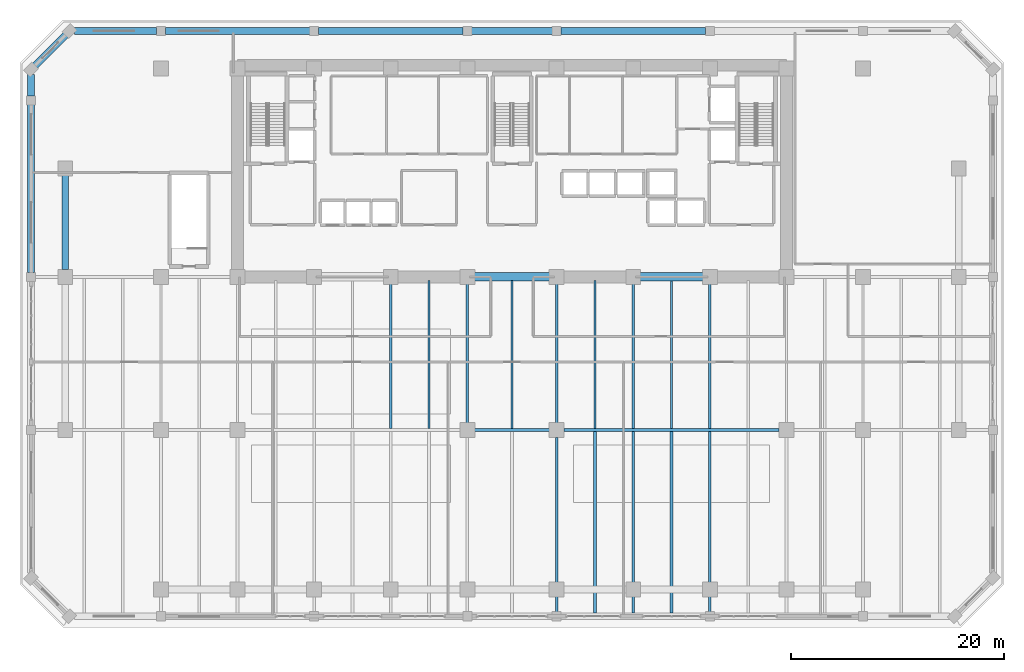
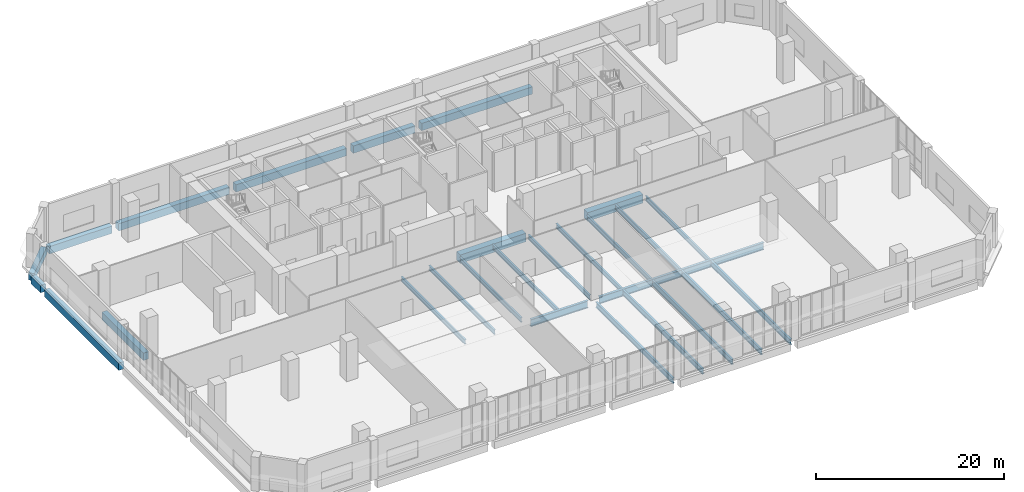
# One storey, part 12 of 25: 27 beams.
"""IFC4 building model written with IfcOpenShell, lengths in metres."""

from ifc_helpers import new_model, si_unit, direction, frame, origin, origin_2d, place, context, subcontext, project, spatial, rectangle, i_section, extrude, material, material_profile, profile_set, type_object, element, save


model = new_model("IFC4")

# Units and contexts
model_context = context("Model", 3, precision=1e-05, world=origin(), true_north=direction((0.0, 1.0)))
body_context = subcontext(model_context, "Body", "Model", "MODEL_VIEW")
ifc_project = project(units=[si_unit("LENGTHUNIT", "METRE"), si_unit("AREAUNIT", "SQUARE_METRE"), si_unit("VOLUMEUNIT", "CUBIC_METRE"), si_unit("PLANEANGLEUNIT", "RADIAN"), si_unit("MASSUNIT", "GRAM", prefix="KILO")], contexts=[model_context])

# Site, building, storey
site_placement = place(None, origin())
site = spatial("IfcSite", under=ifc_project, at=site_placement, CompositionType="ELEMENT")
building_placement = place(site_placement, origin())
building = spatial("IfcBuilding", under=site, at=building_placement, Name="Kaelvorn Grand Hotel", CompositionType="ELEMENT")
storey_placement = place(building_placement, frame((0.0, 0.0, 26.0)))
storey = spatial("IfcBuildingStorey", under=building, at=storey_placement, Name="L04", CompositionType="ELEMENT", Elevation=26.0)

# Beams
ifc_material_1 = material(Name="Steel S355", Category="steel")
ifc_material_profile_1 = material_profile(ifc_material_1, i_section(OverallWidth=0.305419921875, OverallDepth=0.91845703125, WebThickness=0.017333984375, FlangeThickness=0.02783203125, FilletRadius=0.01904296875, at=origin_2d()), Name="UB 914x305x253")
ifc_profile_set_1 = profile_set([ifc_material_profile_1], Name="Steel S355")
beam_type_1 = type_object("IfcBeamType", Name="BM-G-UB914-S355", PredefinedType="BEAM", material=ifc_profile_set_1)
beam_1_placement = place(storey_placement, frame((38.485107421875, 15.0, -0.779296875), z_axis=(1.0, 0.0, 0.0), x_axis=(0.0, 1.0, 0.0)))
element("IfcBeam", 1, at=beam_1_placement, inside=storey, type_object=beam_type_1, Name="L04 Primary Spine Steel Girder G-15 05", PredefinedType="BEAM", context=body_context, shape_type="SweptSolid", body=[
    extrude(i_section(OverallWidth=0.305419921875, OverallDepth=0.91845703125, WebThickness=0.017333984375, FlangeThickness=0.02783203125, FilletRadius=0.01904296875, at=origin_2d()), origin(), (0.0, 0.0, 1.0), 7.02978515625),
])
beam_2_placement = place(storey_placement, frame((46.885009765625, 15.0, -0.779296875), z_axis=(1.0, 0.0, 0.0), x_axis=(0.0, 1.0, 0.0)))
element("IfcBeam", 2, at=beam_2_placement, inside=storey, type_object=beam_type_1, Name="L04 Primary Spine Steel Girder G-15 06", PredefinedType="BEAM", context=body_context, shape_type="SweptSolid", body=[
    extrude(i_section(OverallWidth=0.305419921875, OverallDepth=0.91845703125, WebThickness=0.017333984375, FlangeThickness=0.02783203125, FilletRadius=0.01904296875, at=origin_2d()), origin(), (0.0, 0.0, 1.0), 20.22998046875),
])
ifc_material_profile_2 = material_profile(ifc_material_1, i_section(OverallWidth=0.219970703125, OverallDepth=0.60009765625, WebThickness=0.011962890625, FlangeThickness=0.01904296875, FilletRadius=0.02392578125, at=origin_2d()), Name="IPE 600")
ifc_profile_set_2 = profile_set([ifc_material_profile_2], Name="Steel S355")
beam_type_2 = type_object("IfcBeamType", Name="BM-J-IPE600-S355", PredefinedType="JOIST", material=ifc_profile_set_2)
beam_3_placement = place(storey_placement, frame((30.60009765625, 15.1376953125, -0.6201171875), z_axis=(0.0, 1.0, 0.0), x_axis=(-1.0, 0.0, 0.0)))
element("IfcBeam", 3, at=beam_3_placement, inside=storey, type_object=beam_type_2, Name="L04 Composite Floor Joist JM-09", PredefinedType="JOIST", context=body_context, shape_type="SweptSolid", body=[
    extrude(i_section(OverallWidth=0.219970703125, OverallDepth=0.60009765625, WebThickness=0.011962890625, FlangeThickness=0.01904296875, FilletRadius=0.02392578125, at=origin_2d()), origin(), (0.0, 0.0, 1.0), 13.577392578125),
])
beam_4_placement = place(storey_placement, frame((34.199951171875, 15.1376953125, -0.6201171875), z_axis=(0.0, 1.0, 0.0), x_axis=(-1.0, 0.0, 0.0)))
element("IfcBeam", 4, at=beam_4_placement, inside=storey, type_object=beam_type_2, Name="L04 Composite Floor Joist JM-10", PredefinedType="JOIST", context=body_context, shape_type="SweptSolid", body=[
    extrude(i_section(OverallWidth=0.219970703125, OverallDepth=0.60009765625, WebThickness=0.011962890625, FlangeThickness=0.01904296875, FilletRadius=0.02392578125, at=origin_2d()), origin(), (0.0, 0.0, 1.0), 13.92236328125),
])
beam_5_placement = place(storey_placement, frame((37.800048828125, 15.68505859375, -0.6201171875), z_axis=(0.0, 1.0, 0.0), x_axis=(-1.0, 0.0, 0.0)))
element("IfcBeam", 5, at=beam_5_placement, inside=storey, type_object=beam_type_2, Name="L04 Composite Floor Joist JM-11", PredefinedType="JOIST", context=body_context, shape_type="SweptSolid", body=[
    extrude(i_section(OverallWidth=0.219970703125, OverallDepth=0.60009765625, WebThickness=0.011962890625, FlangeThickness=0.01904296875, FilletRadius=0.02392578125, at=origin_2d()), origin(), (0.0, 0.0, 1.0), 13.030029296875),
])
beam_6_placement = place(storey_placement, frame((42.0, 15.1376953125, -0.6201171875), z_axis=(0.0, 1.0, 0.0), x_axis=(-1.0, 0.0, 0.0)))
element("IfcBeam", 6, at=beam_6_placement, inside=storey, type_object=beam_type_2, Name="L04 Composite Floor Joist JM-12", PredefinedType="JOIST", context=body_context, shape_type="SweptSolid", body=[
    extrude(i_section(OverallWidth=0.219970703125, OverallDepth=0.60009765625, WebThickness=0.011962890625, FlangeThickness=0.01904296875, FilletRadius=0.02392578125, at=origin_2d()), origin(), (0.0, 0.0, 1.0), 13.92236328125),
])
beam_7_placement = place(storey_placement, frame((46.199951171875, 15.68505859375, -0.6201171875), z_axis=(0.0, 1.0, 0.0), x_axis=(-1.0, 0.0, 0.0)))
element("IfcBeam", 7, at=beam_7_placement, inside=storey, type_object=beam_type_2, Name="L04 Composite Floor Joist JM-13", PredefinedType="JOIST", context=body_context, shape_type="SweptSolid", body=[
    extrude(i_section(OverallWidth=0.219970703125, OverallDepth=0.60009765625, WebThickness=0.011962890625, FlangeThickness=0.01904296875, FilletRadius=0.02392578125, at=origin_2d()), origin(), (0.0, 0.0, 1.0), 13.030029296875),
])
beam_8_placement = place(storey_placement, frame((49.800048828125, 15.1376953125, -0.6201171875), z_axis=(0.0, 1.0, 0.0), x_axis=(-1.0, 0.0, 0.0)))
element("IfcBeam", 8, at=beam_8_placement, inside=storey, type_object=beam_type_2, Name="L04 Composite Floor Joist JM-14", PredefinedType="JOIST", context=body_context, shape_type="SweptSolid", body=[
    extrude(i_section(OverallWidth=0.219970703125, OverallDepth=0.60009765625, WebThickness=0.011962890625, FlangeThickness=0.01904296875, FilletRadius=0.02392578125, at=origin_2d()), origin(), (0.0, 0.0, 1.0), 13.92236328125),
])
beam_9_placement = place(storey_placement, frame((53.39990234375, 15.1376953125, -0.6201171875), z_axis=(0.0, 1.0, 0.0), x_axis=(-1.0, 0.0, 0.0)))
element("IfcBeam", 9, at=beam_9_placement, inside=storey, type_object=beam_type_2, Name="L04 Composite Floor Joist JM-15", PredefinedType="JOIST", context=body_context, shape_type="SweptSolid", body=[
    extrude(i_section(OverallWidth=0.219970703125, OverallDepth=0.60009765625, WebThickness=0.011962890625, FlangeThickness=0.01904296875, FilletRadius=0.02392578125, at=origin_2d()), origin(), (0.0, 0.0, 1.0), 13.577392578125),
])
beam_10_placement = place(storey_placement, frame((57.0, 15.1376953125, -0.6201171875), z_axis=(0.0, 1.0, 0.0), x_axis=(-1.0, 0.0, 0.0)))
element("IfcBeam", 10, at=beam_10_placement, inside=storey, type_object=beam_type_2, Name="L04 Composite Floor Joist JM-16", PredefinedType="JOIST", context=body_context, shape_type="SweptSolid", body=[
    extrude(i_section(OverallWidth=0.219970703125, OverallDepth=0.60009765625, WebThickness=0.011962890625, FlangeThickness=0.01904296875, FilletRadius=0.02392578125, at=origin_2d()), origin(), (0.0, 0.0, 1.0), 13.92236328125),
])
beam_11_placement = place(storey_placement, frame((60.60009765625, 15.1376953125, -0.6201171875), z_axis=(0.0, 1.0, 0.0), x_axis=(-1.0, 0.0, 0.0)))
element("IfcBeam", 11, at=beam_11_placement, inside=storey, type_object=beam_type_2, Name="L04 Composite Floor Joist JM-17", PredefinedType="JOIST", context=body_context, shape_type="SweptSolid", body=[
    extrude(i_section(OverallWidth=0.219970703125, OverallDepth=0.60009765625, WebThickness=0.011962890625, FlangeThickness=0.01904296875, FilletRadius=0.02392578125, at=origin_2d()), origin(), (0.0, 0.0, 1.0), 13.577392578125),
])
ifc_material_profile_3 = material_profile(ifc_material_1, i_section(OverallWidth=0.25439453125, OverallDepth=0.6875, WebThickness=0.01318359375, FlangeThickness=0.02099609375, FilletRadius=0.01513671875, at=origin_2d()), Name="UB 686x254x152")
ifc_profile_set_3 = profile_set([ifc_material_profile_3], Name="Steel S355")
beam_type_3 = type_object("IfcBeamType", Name="BM-J-UB686-S355", PredefinedType="JOIST", material=ifc_profile_set_3)
beam_12_placement = place(storey_placement, frame((46.199951171875, -2.090087890625, -0.663818359375), z_axis=(0.0, 1.0, 0.0), x_axis=(-1.0, 0.0, 0.0)))
element("IfcBeam", 12, at=beam_12_placement, inside=storey, type_object=beam_type_3, Name="L04 Composite Floor Joist JS-13", PredefinedType="JOIST", context=body_context, shape_type="SweptSolid", body=[
    extrude(i_section(OverallWidth=0.25439453125, OverallDepth=0.6875, WebThickness=0.01318359375, FlangeThickness=0.02099609375, FilletRadius=0.01513671875, at=origin_2d()), origin(), (0.0, 0.0, 1.0), 16.405029296875),
])
for number, where, z_axis, x_axis, name in (
    (13, (49.800048828125, -2.18994140625, -0.663818359375), (0.0, 1.0, 0.0), (-1.0, 0.0, 0.0), "L04 Composite Floor Joist JS-14"),
    (14, (53.39990234375, -2.18994140625, -0.663818359375), (0.0, 1.0, 0.0), (-1.0, 0.0, 0.0), "L04 Composite Floor Joist JS-15"),
    (15, (57.0, -2.18994140625, -0.663818359375), (0.0, 1.0, 0.0), (-1.0, 0.0, 0.0), "L04 Composite Floor Joist JS-16"),
):
    element("IfcBeam", number, at=place(storey_placement, frame(where, z_axis=z_axis, x_axis=x_axis)), inside=storey, type_object=beam_type_3, Name=name, PredefinedType="JOIST", context=body_context, shape_type="SweptSolid", body=[
        extrude(i_section(OverallWidth=0.25439453125, OverallDepth=0.6875, WebThickness=0.01318359375, FlangeThickness=0.02099609375, FilletRadius=0.01513671875, at=origin_2d()), origin(), (0.0, 0.0, 1.0), 17.05224609375),
    ])
beam_13_placement = place(storey_placement, frame((60.60009765625, -2.090087890625, -0.663818359375), z_axis=(0.0, 1.0, 0.0), x_axis=(-1.0, 0.0, 0.0)))
element("IfcBeam", 16, at=beam_13_placement, inside=storey, type_object=beam_type_3, Name="L04 Composite Floor Joist JS-17", PredefinedType="JOIST", context=body_context, shape_type="SweptSolid", body=[
    extrude(i_section(OverallWidth=0.25439453125, OverallDepth=0.6875, WebThickness=0.01318359375, FlangeThickness=0.02099609375, FilletRadius=0.01513671875, at=origin_2d()), origin(), (0.0, 0.0, 1.0), 16.952392578125),
])
ifc_material_2 = material(Name="Concrete C60/75", Category="concrete")
ifc_material_profile_4 = material_profile(ifc_material_2, rectangle(XDim=0.800048828125, YDim=1.10009765625, at=origin_2d()), Name="RC LINTEL 800x1100")
ifc_profile_set_4 = profile_set([ifc_material_profile_4], Name="Concrete C60/75")
beam_type_4 = type_object("IfcBeamType", Name="BM-LIN-800x1100-C60", PredefinedType="LINTEL", material=ifc_profile_set_4)
beam_14_placement = place(storey_placement, frame((37.97998046875, 29.39990234375, -0.8701171875), z_axis=(1.0, 0.0, 0.0), x_axis=(0.0, 1.0, 0.0)))
element("IfcBeam", 17, at=beam_14_placement, inside=storey, type_object=beam_type_4, Name="L04 Rear-Core Coupling Lintel Beam CB1-02", PredefinedType="LINTEL", context=body_context, shape_type="SweptSolid", body=[
    extrude(rectangle(XDim=0.800048828125, YDim=1.10009765625, at=origin_2d()), origin(), (0.0, 0.0, 1.0), 8.0400390625),
])
beam_15_placement = place(storey_placement, frame((53.580078125, 29.39990234375, -0.8701171875), z_axis=(1.0, 0.0, 0.0), x_axis=(0.0, 1.0, 0.0)))
element("IfcBeam", 18, at=beam_15_placement, inside=storey, type_object=beam_type_4, Name="L04 Rear-Core Coupling Lintel Beam CB1-03", PredefinedType="LINTEL", context=body_context, shape_type="SweptSolid", body=[
    extrude(rectangle(XDim=0.800048828125, YDim=1.10009765625, at=origin_2d()), origin(), (0.0, 0.0, 1.0), 6.83984375),
])
ifc_material_profile_5 = material_profile(ifc_material_2, rectangle(XDim=0.64990234375, YDim=0.949951171875, at=origin_2d()), Name="RC SPANDREL 650x950")
ifc_profile_set_5 = profile_set([ifc_material_profile_5], Name="Concrete C60/75")
beam_type_5 = type_object("IfcBeamType", Name="BM-SP-650x950-C60", PredefinedType="SPANDREL", material=ifc_profile_set_5)
beam_16_placement = place(storey_placement, frame((0.885009765625, 52.5, -0.794921875), z_axis=(1.0, 0.0, 0.0), x_axis=(0.0, 1.0, 0.0)))
element("IfcBeam", 19, at=beam_16_placement, inside=storey, type_object=beam_type_5, Name="L04 North Perimeter Spandrel 01", PredefinedType="SPANDREL", context=body_context, shape_type="SweptSolid", body=[
    extrude(rectangle(XDim=0.64990234375, YDim=0.949951171875, at=origin_2d()), origin(), (0.0, 0.0, 1.0), 7.705078125),
])
beam_17_placement = place(storey_placement, frame((9.409912109375, 52.5, -0.794921875), z_axis=(1.0, 0.0, 0.0), x_axis=(0.0, 1.0, 0.0)))
element("IfcBeam", 20, at=beam_17_placement, inside=storey, type_object=beam_type_5, Name="L04 North Perimeter Spandrel 02", PredefinedType="SPANDREL", context=body_context, shape_type="SweptSolid", body=[
    extrude(rectangle(XDim=0.64990234375, YDim=0.949951171875, at=origin_2d()), origin(), (0.0, 0.0, 1.0), 13.580078125),
])
beam_18_placement = place(storey_placement, frame((23.81005859375, 52.5, -0.794921875), z_axis=(1.0, 0.0, 0.0), x_axis=(0.0, 1.0, 0.0)))
element("IfcBeam", 21, at=beam_18_placement, inside=storey, type_object=beam_type_5, Name="L04 North Perimeter Spandrel 03", PredefinedType="SPANDREL", context=body_context, shape_type="SweptSolid", body=[
    extrude(rectangle(XDim=0.64990234375, YDim=0.949951171875, at=origin_2d()), origin(), (0.0, 0.0, 1.0), 13.579833984375),
])
beam_19_placement = place(storey_placement, frame((38.2099609375, 52.5, -0.794921875), z_axis=(1.0, 0.0, 0.0), x_axis=(0.0, 1.0, 0.0)))
element("IfcBeam", 22, at=beam_19_placement, inside=storey, type_object=beam_type_5, Name="L04 North Perimeter Spandrel 04", PredefinedType="SPANDREL", context=body_context, shape_type="SweptSolid", body=[
    extrude(rectangle(XDim=0.64990234375, YDim=0.949951171875, at=origin_2d()), origin(), (0.0, 0.0, 1.0), 7.580078125),
])
beam_20_placement = place(storey_placement, frame((46.610107421875, 52.5, -0.794921875), z_axis=(1.0, 0.0, 0.0), x_axis=(0.0, 1.0, 0.0)))
element("IfcBeam", 23, at=beam_20_placement, inside=storey, type_object=beam_type_5, Name="L04 North Perimeter Spandrel 05", PredefinedType="SPANDREL", context=body_context, shape_type="SweptSolid", body=[
    extrude(rectangle(XDim=0.64990234375, YDim=0.949951171875, at=origin_2d()), origin(), (0.0, 0.0, 1.0), 13.579833984375),
])
beam_21_placement = place(storey_placement, frame((-3.199951171875, 29.81005859375, -0.794921875), z_axis=(0.0, 1.0, 0.0), x_axis=(-1.0, 0.0, 0.0)))
element("IfcBeam", 24, at=beam_21_placement, inside=storey, type_object=beam_type_5, Name="L04 West Perimeter Spandrel 03", PredefinedType="SPANDREL", context=body_context, shape_type="SweptSolid", body=[
    extrude(rectangle(XDim=0.64990234375, YDim=0.949951171875, at=origin_2d()), origin(), (0.0, 0.0, 1.0), 15.780029296875),
])
beam_22_placement = place(storey_placement, frame((-3.199951171875, 46.409912109375, -0.794921875), z_axis=(0.0, 1.0, 0.0), x_axis=(-1.0, 0.0, 0.0)))
element("IfcBeam", 25, at=beam_22_placement, inside=storey, type_object=beam_type_5, Name="L04 West Perimeter Spandrel 04", PredefinedType="SPANDREL", context=body_context, shape_type="SweptSolid", body=[
    extrude(rectangle(XDim=0.64990234375, YDim=0.949951171875, at=origin_2d()), origin(), (0.0, 0.0, 1.0), 2.005126953125),
])
beam_23_placement = place(storey_placement, frame((0.39990234375, 52.5, -0.794921875), z_axis=(-0.707082803744, -0.707130757816, 0.0), x_axis=(0.707130757816, -0.707082803744, 0.0)))
element("IfcBeam", 26, at=beam_23_placement, inside=storey, type_object=beam_type_5, Name="L04 Chamfer Spandrel Beam 3", PredefinedType="SPANDREL", context=body_context, shape_type="SweptSolid", body=[
    extrude(rectangle(XDim=0.64990234375, YDim=0.949951171875, at=origin_2d()), origin(), (0.0, 0.0, 1.0), 5.091064453125),
])
beam_24_placement = place(storey_placement, frame((0.0, 30.0849609375, -0.794921875), z_axis=(0.0, 1.0, 0.0), x_axis=(-1.0, 0.0, 0.0)))
element("IfcBeam", 27, at=beam_24_placement, inside=storey, type_object=beam_type_5, Name="L04 Tower Wing Girder TW 02", PredefinedType="SPANDREL", context=body_context, shape_type="SweptSolid", body=[
    extrude(rectangle(XDim=0.64990234375, YDim=0.949951171875, at=origin_2d()), origin(), (0.0, 0.0, 1.0), 8.830078125),
])

save(model, "model.ifc")
